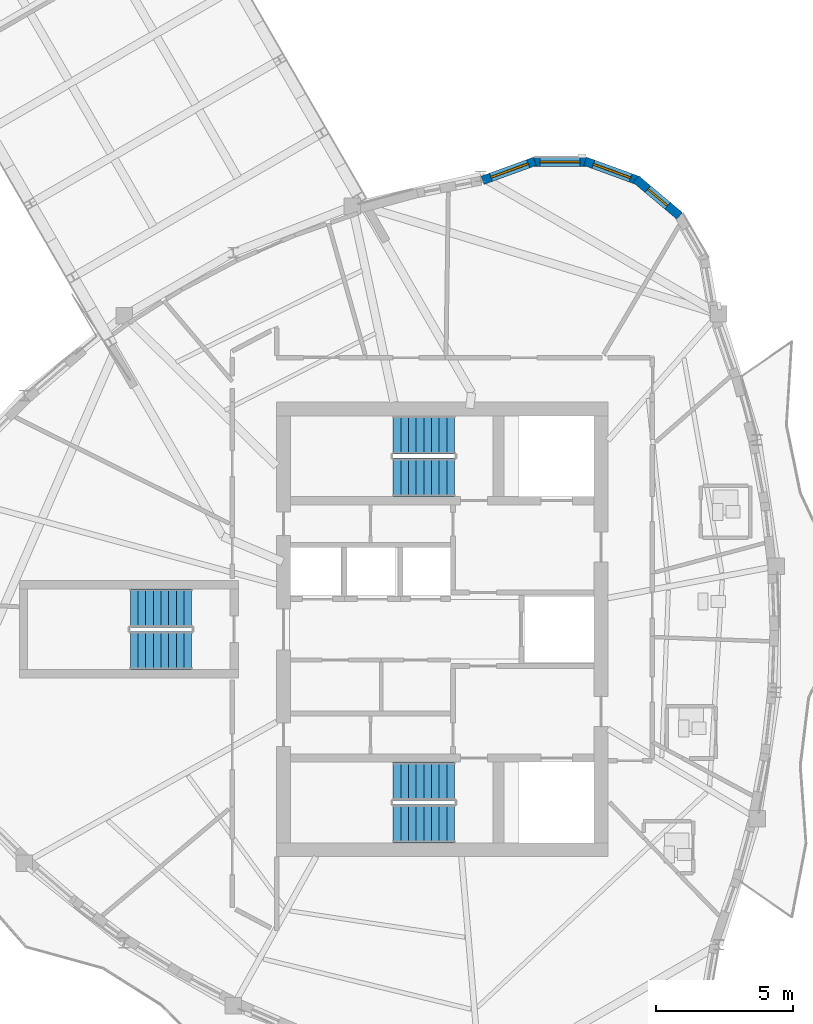
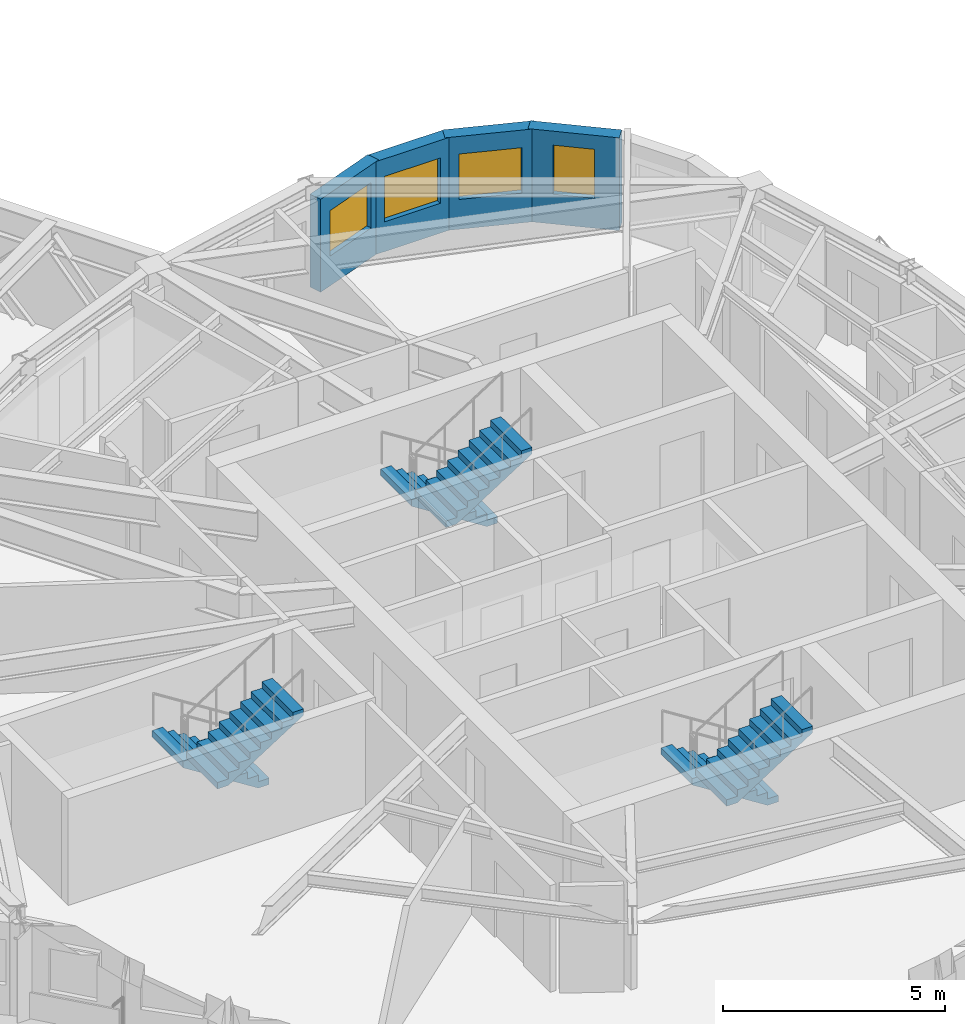
# One storey, part 10 of 14: 6 stair flights, 4 walls, 4 windows, 4 openings, 3 elements without a shape of their own.
"""IFC4 building model written with IfcOpenShell, lengths in metres."""

import ifcopenshell
import ifcopenshell.guid

model = None  # the IFC model being written
_history = None  # IfcOwnerHistory: only IFC2X3 demands one
_inside = {}  # id of a spatial element -> (the spatial element, [elements in it])
_under = {}  # id of a project, library or spatial element -> (it, [spatial elements below it])
_declared = {}  # id of a project -> (the project, [libraries it declares])
_typed = {}  # id of a type object -> (the type object, [elements of that type])
_made_of = {}  # id of a material, layer set ... -> (it, [elements and type objects made of it])


def new_model(schema):
    """Start an empty IFC model of exactly this schema.

    Asked for "IFC4X3", IfcOpenShell would pick the latest addendum, in which some entities
    have other attributes; the version numbers below select the first issue.
    IFC2X3 requires an IfcOwnerHistory on every rooted entity: one is made here for all.
    """
    global model, _history
    if schema == "IFC4X3":
        model = ifcopenshell.file(schema_version=(4, 3, 0, 0))
    else:
        model = ifcopenshell.file(schema=schema)
    _inside.clear()
    _under.clear()
    _declared.clear()
    _typed.clear()
    _made_of.clear()
    _history = None
    if model.schema == "IFC2X3":
        org = make("IfcOrganization", Name="unknown")
        user = make(
            "IfcPersonAndOrganization",
            ThePerson=make("IfcPerson", FamilyName="unknown"),
            TheOrganization=org,
        )
        app = make(
            "IfcApplication",
            ApplicationDeveloper=org,
            Version="unknown",
            ApplicationFullName="unknown",
            ApplicationIdentifier="unknown",
        )
        _history = make(
            "IfcOwnerHistory",
            OwningUser=user,
            OwningApplication=app,
            ChangeAction="ADDED",
            CreationDate=0,
        )
    return model


def make(cls, **values):
    """One entity of the class cls with the attributes given. An attribute that is None is left unset."""
    return model.create_entity(
        cls, **{name: value for name, value in values.items() if value is not None}
    )


def rooted(cls, **values):
    """An entity with a GlobalId (a new one), such as an element, a storey or a relation."""
    return make(cls, GlobalId=ifcopenshell.guid.new(), OwnerHistory=_history, **values)


def si_unit(unit_type, name, prefix=None):
    """IfcSIUnit, for example si_unit("LENGTHUNIT", "METRE", prefix="MILLI")."""
    return make("IfcSIUnit", UnitType=unit_type, Prefix=prefix, Name=name)


def assignment(units):
    """IfcUnitAssignment: the units of a project."""
    return None if units is None else make("IfcUnitAssignment", Units=units)


def point(xyz):
    """IfcCartesianPoint."""
    return None if xyz is None else make("IfcCartesianPoint", Coordinates=xyz)


def direction(xyz):
    """IfcDirection."""
    return None if xyz is None else make("IfcDirection", DirectionRatios=xyz)


def frame(location, z_axis=None, x_axis=None):
    """IfcAxis2Placement3D, a coordinate frame: its origin and axes. An axis left out is left unset."""
    return make(
        "IfcAxis2Placement3D",
        Location=point(location),
        Axis=direction(z_axis),
        RefDirection=direction(x_axis),
    )


def frame_2d(location, x_axis=None):
    """IfcAxis2Placement2D, a coordinate frame in the plane: its origin and x axis."""
    return make(
        "IfcAxis2Placement2D", Location=point(location), RefDirection=direction(x_axis)
    )


def origin():
    """The frame at (0, 0, 0) with its axes left unset."""
    return frame((0.0, 0.0, 0.0))


def place(relative_to, where):
    """IfcLocalPlacement: puts the frame where relative to a parent placement (None: the world)."""
    return make(
        "IfcLocalPlacement", PlacementRelTo=relative_to, RelativePlacement=where
    )


def context(
    kind, dimensions, precision=None, world=None, true_north=None, identifier=None
):
    """IfcGeometricRepresentationContext, for example the 3D "Model" context."""
    return make(
        "IfcGeometricRepresentationContext",
        ContextIdentifier=identifier,
        ContextType=kind,
        CoordinateSpaceDimension=dimensions,
        Precision=precision,
        WorldCoordinateSystem=world,
        TrueNorth=true_north,
    )


def subcontext(parent, identifier, kind, view, scale=None):
    """IfcGeometricRepresentationSubContext, for example "Body" below "Model"."""
    return make(
        "IfcGeometricRepresentationSubContext",
        ContextIdentifier=identifier,
        ContextType=kind,
        ParentContext=parent,
        TargetScale=scale,
        TargetView=view,
    )


def project(units=None, contexts=None):
    """IfcProject with its units and contexts."""
    return rooted(
        "IfcProject",
        Name="project",
        RepresentationContexts=contexts,
        UnitsInContext=assignment(units),
    )


def spatial(cls, under=None, at=None, **own):
    """A site, building, storey or space (cls), placed at a placement, below another one or the project."""
    s = rooted(cls, ObjectPlacement=at, **own)
    if under is not None:
        _under.setdefault(under.id(), (under, []))[1].append(s)
    return s


def polyline(points):
    """IfcPolyline through the points."""
    return make("IfcPolyline", Points=[point(p) for p in points])


def profile(cls, at=None, kind="AREA", **sizes):
    """A parametric profile (cls). Its sizes go by their IFC names, for example OverallWidth=200.0."""
    return make(cls, ProfileType=kind, Position=at, **sizes)


def rectangle(**sizes):
    """IfcRectangleProfileDef."""
    return profile("IfcRectangleProfileDef", **sizes)


def outline(outer, holes=None, kind="AREA"):
    """IfcArbitraryClosedProfileDef: a profile drawn as a closed curve; with holes, ...WithVoids."""
    if holes is None:
        return make("IfcArbitraryClosedProfileDef", ProfileType=kind, OuterCurve=outer)
    return make(
        "IfcArbitraryProfileDefWithVoids",
        ProfileType=kind,
        OuterCurve=outer,
        InnerCurves=holes,
    )


def extrude(swept, where, along, depth):
    """IfcExtrudedAreaSolid: the profile swept, set in the frame where, extruded along a direction by depth."""
    return make(
        "IfcExtrudedAreaSolid",
        SweptArea=swept,
        Position=where,
        ExtrudedDirection=direction(along),
        Depth=depth,
    )


def shape(context_of_items, identifier, shape_type, items):
    """IfcShapeRepresentation: the items that make up one representation, for example the "Body"."""
    return make(
        "IfcShapeRepresentation",
        ContextOfItems=context_of_items,
        RepresentationIdentifier=identifier,
        RepresentationType=shape_type,
        Items=items,
    )


def source(mapping_origin, context_of_items, identifier, shape_type, items):
    """IfcRepresentationMap: a shape defined once, which mapped items show again and again."""
    return make(
        "IfcRepresentationMap",
        MappingOrigin=mapping_origin,
        MappedRepresentation=shape(context_of_items, identifier, shape_type, items),
    )


def transform(
    local_origin,
    x_axis=None,
    y_axis=None,
    z_axis=None,
    scale=None,
    scale2=None,
    scale3=None,
    uniform=True,
):
    """IfcCartesianTransformationOperator3D, or its non-uniform kind. x_axis, y_axis, z_axis: its Axis1, 2, 3."""
    if uniform:
        return make(
            "IfcCartesianTransformationOperator3D",
            Axis1=direction(x_axis),
            Axis2=direction(y_axis),
            LocalOrigin=point(local_origin),
            Scale=scale,
            Axis3=direction(z_axis),
        )
    return make(
        "IfcCartesianTransformationOperator3DnonUniform",
        Axis1=direction(x_axis),
        Axis2=direction(y_axis),
        LocalOrigin=point(local_origin),
        Scale=scale,
        Axis3=direction(z_axis),
        Scale2=scale2,
        Scale3=scale3,
    )


def mapped(mapping_source, mapping_target):
    """IfcMappedItem: shows the shape of a source again, moved by a transform."""
    return make(
        "IfcMappedItem", MappingSource=mapping_source, MappingTarget=mapping_target
    )


def material(Name=None, Category=None):
    """IfcMaterial."""
    return make("IfcMaterial", Name=Name, Category=Category)


def layer(
    of_material, thickness, ventilated=None, Name=None, Category=None, Priority=None
):
    """IfcMaterialLayer: one layer of a wall or slab, of a material (None: an air gap)."""
    return make(
        "IfcMaterialLayer",
        Material=of_material,
        LayerThickness=thickness,
        IsVentilated=ventilated,
        Name=Name,
        Category=Category,
        Priority=Priority,
    )


def layer_set(layers, Name=None):
    """IfcMaterialLayerSet."""
    return make("IfcMaterialLayerSet", MaterialLayers=layers, LayerSetName=Name)


def made_of(thing, what):
    """Note that an element or type object is made of a material, layer set ...; save() writes the relation."""
    if what is not None:
        _made_of.setdefault(what.id(), (what, []))[1].append(thing)
    return thing


def type_object(cls, material=None, **own):
    """A type object (cls), such as IfcWallType, which elements share."""
    return made_of(rooted(cls, **own), material)


def element(
    cls,
    number,
    at=None,
    inside=None,
    cuts=None,
    type_object=None,
    material=None,
    context=None,
    identifier="Body",
    shape_type=None,
    held_by="IfcProductDefinitionShape",
    body=None,
    shapes=None,
    **own,
):
    """One element of the class cls, such as IfcWall. Its Tag is "e" and its number.

    at: its placement. inside: the storey or other place that contains it. cuts: it is an
    opening in that element (IfcRelVoidsElement). A single representation is given by context,
    identifier, shape_type and body (its items); several are given by shapes. held_by: the class
    of the entity that holds the representations. save() writes the other relations.
    """
    e = rooted(cls, Tag="e%d" % number, ObjectPlacement=at, **own)
    if body is not None:
        shapes = [shape(context, identifier, shape_type, body)]
    if shapes is not None:
        e.Representation = make(held_by, Representations=shapes)
    if inside is not None:
        _inside.setdefault(inside.id(), (inside, []))[1].append(e)
    if cuts is not None:
        rooted(
            "IfcRelVoidsElement", RelatingBuildingElement=cuts, RelatedOpeningElement=e
        )
    if type_object is not None:
        _typed.setdefault(type_object.id(), (type_object, []))[1].append(e)
    return made_of(e, material)


def fill(opening, filler):
    """IfcRelFillsElement: the door or window that sits in an opening."""
    return rooted(
        "IfcRelFillsElement",
        RelatingOpeningElement=opening,
        RelatedBuildingElement=filler,
    )


def aggregate(whole, parts):
    """IfcRelAggregates: a whole, such as a stair, and the parts it consists of."""
    return rooted("IfcRelAggregates", RelatingObject=whole, RelatedObjects=parts)


def save(model, path):
    """Write the relations noted so far, then the file.

    IfcRelAggregates (storeys below a building ...), IfcRelContainedInSpatialStructure (elements
    in a storey), IfcRelDefinesByType, IfcRelAssociatesMaterial and IfcRelDeclares: one each for
    every whole, place, type object, material and project.
    """
    for whole, parts in _under.values():
        aggregate(whole, parts)
    for where, things in _inside.values():
        rooted(
            "IfcRelContainedInSpatialStructure",
            RelatedElements=things,
            RelatingStructure=where,
        )
    for kind, things in _typed.values():
        rooted("IfcRelDefinesByType", RelatedObjects=things, RelatingType=kind)
    for what, things in _made_of.values():
        rooted("IfcRelAssociatesMaterial", RelatedObjects=things, RelatingMaterial=what)
    for by, libraries in _declared.values():
        rooted("IfcRelDeclares", RelatingContext=by, RelatedDefinitions=libraries)
    model.write(path)


model = new_model("IFC4")

# Units and contexts
model_context = context("Model", 3, precision=1e-05, world=origin(), true_north=direction((0.0, 1.0)))
body_context = subcontext(model_context, "Body", "Model", "MODEL_VIEW")
ifc_project = project(units=[si_unit("LENGTHUNIT", "METRE"), si_unit("AREAUNIT", "SQUARE_METRE"), si_unit("VOLUMEUNIT", "CUBIC_METRE"), si_unit("PLANEANGLEUNIT", "RADIAN"), si_unit("MASSUNIT", "GRAM", prefix="KILO")], contexts=[model_context])

# Site, building, storey
site_placement = place(None, origin())
site = spatial("IfcSite", under=ifc_project, at=site_placement, CompositionType="ELEMENT")
building_placement = place(site_placement, origin())
building = spatial("IfcBuilding", under=site, at=building_placement, Name="Qafzar Sky-Pleat Residences", CompositionType="ELEMENT")
storey_placement = place(building_placement, frame((0.0, 0.0, 208.39990234375)))
storey = spatial("IfcBuildingStorey", under=building, at=storey_placement, Name="L62", CompositionType="ELEMENT", Elevation=208.39990234375)

# Wall, opening, window
ifc_material_1 = material(Name="Precast concrete C40/50 with honed Riyadh limestone", Category="concrete")
ifc_layer = layer(ifc_material_1, 0.320068359375)
ifc_layer_set = layer_set([ifc_layer], Name="Precast concrete C40/50 with honed Riyadh limestone")
wall_type = type_object("IfcWallType", Name="WALL-EXT-320", PredefinedType="SOLIDWALL", material=ifc_layer_set)
wall_1_placement = place(storey_placement, frame((39.02197265625, 41.103515625, 0.0), z_axis=(0.0, 0.0, 1.0), x_axis=(-0.766072824549, 0.642753784499, 0.0)))
wall_1 = element("IfcWall", 1, at=wall_1_placement, inside=storey, type_object=wall_type, Name="L62 Limestone Facade Wall 35", PredefinedType="SOLIDWALL", context=body_context, shape_type="SweptSolid", body=[
    extrude(rectangle(XDim=2.090576171875, YDim=0.320068359375, at=frame_2d((1.04541015625, 0.0))), origin(), (0.0, 0.0, 1.0), 2.55517578125),
])
opening_1_placement = place(wall_1_placement, frame((0.5703125, 0.0, 0.820068359375)))
opening_1 = element("IfcOpeningElement", 2, at=opening_1_placement, cuts=wall_1, Name="Opening WN-12", PredefinedType="OPENING", context=body_context, shape_type="SweptSolid", body=[
    extrude(rectangle(XDim=0.949951171875, YDim=1.35009765625, at=frame_2d((0.47509765625, 0.675048828125))), frame((0.0, 0.169921875, 0.0), z_axis=(0.0, -1.0, 0.0), x_axis=(1.0, 0.0, 0.0)), (0.0, 0.0, 1.0), 0.340087890625),
])
ifc_material_2 = material(Name="Solar-control low-E glass in bronze aluminium frame", Category="glass")
window_type_1 = type_object("IfcWindowType", Name="WIN-12", PartitioningType="SINGLE_PANEL", PredefinedType="WINDOW", material=ifc_material_2)
shared_shape_1 = source(origin(), body_context, "Body", "SweptSolid", [
    extrude(rectangle(XDim=0.949951171875, YDim=1.35009765625, at=frame_2d((0.47509765625, 0.675048828125))), frame((0.0, 0.030029296875, 0.0), z_axis=(0.0, -1.0, 0.0), x_axis=(1.0, 0.0, 0.0)), (0.0, 0.0, 1.0), 0.06005859375),
])
window_1_placement = place(opening_1_placement, origin())
window_1 = element("IfcWindow", 3, at=window_1_placement, inside=storey, type_object=window_type_1, Name="L62 Punched Facade Window 35", OverallHeight=1.35009765625, OverallWidth=0.949951171875, PartitioningType="SINGLE_PANEL", PredefinedType="WINDOW", context=body_context, shape_type="MappedRepresentation", body=[
    mapped(shared_shape_1, transform((0.0, 0.0, 0.0), x_axis=(1.0, 0.0, 0.0), y_axis=(0.0, 1.0, 0.0), z_axis=(0.0, 0.0, 1.0), scale=1.0)),
])
fill(opening_1, window_1)

wall_2_placement = place(storey_placement, frame((37.533447265625, 42.382080078125, 0.0), z_axis=(0.0, 0.0, 1.0), x_axis=(-0.939697896412, 0.342005648315, 0.0)))
wall_2 = element("IfcWall", 4, at=wall_2_placement, inside=storey, type_object=wall_type, Name="L62 Limestone Facade Wall 36", PredefinedType="SOLIDWALL", context=body_context, shape_type="SweptSolid", body=[
    extrude(rectangle(XDim=2.090087890625, YDim=0.320068359375, at=frame_2d((1.044921875, 0.0))), origin(), (0.0, 0.0, 1.0), 2.55517578125),
])
opening_2_placement = place(wall_2_placement, frame((0.3203125, 0.0, 0.820068359375)))
opening_2 = element("IfcOpeningElement", 5, at=opening_2_placement, cuts=wall_2, Name="Opening WN-15", PredefinedType="OPENING", context=body_context, shape_type="SweptSolid", body=[
    extrude(rectangle(XDim=1.449951171875, YDim=1.25, at=frame_2d((0.72509765625, 0.625))), frame((0.0, 0.169921875, 0.0), z_axis=(0.0, -1.0, 0.0), x_axis=(1.0, 0.0, 0.0)), (0.0, 0.0, 1.0), 0.340087890625),
])
window_type_2 = type_object("IfcWindowType", Name="WIN-15", PartitioningType="SINGLE_PANEL", PredefinedType="WINDOW", material=ifc_material_2)
shared_shape_2 = source(origin(), body_context, "Body", "SweptSolid", [
    extrude(rectangle(XDim=1.449951171875, YDim=1.25, at=frame_2d((0.72509765625, 0.625))), frame((0.0, 0.030029296875, 0.0), z_axis=(0.0, -1.0, 0.0), x_axis=(1.0, 0.0, 0.0)), (0.0, 0.0, 1.0), 0.06005859375),
])
window_2_placement = place(opening_2_placement, origin())
window_2 = element("IfcWindow", 6, at=window_2_placement, inside=storey, type_object=window_type_2, Name="L62 Punched Facade Window 36", OverallHeight=1.25, OverallWidth=1.449951171875, PartitioningType="SINGLE_PANEL", PredefinedType="WINDOW", context=body_context, shape_type="MappedRepresentation", body=[
    mapped(shared_shape_2, transform((0.0, 0.0, 0.0), x_axis=(1.0, 0.0, 0.0), y_axis=(0.0, 1.0, 0.0), z_axis=(0.0, 0.0, 1.0), scale=1.0)),
])
fill(opening_2, window_2)

wall_3_placement = place(storey_placement, frame((35.69775390625, 43.074462890625, 0.0), z_axis=(0.0, 0.0, 1.0), x_axis=(-1.0, 0.0, 0.0)))
wall_3 = element("IfcWall", 7, at=wall_3_placement, inside=storey, type_object=wall_type, Name="L62 Limestone Facade Wall 37", PredefinedType="SOLIDWALL", context=body_context, shape_type="SweptSolid", body=[
    extrude(rectangle(XDim=2.09033203125, YDim=0.320068359375, at=frame_2d((1.045166015625, 0.0))), origin(), (0.0, 0.0, 1.0), 2.55517578125),
])
opening_3_placement = place(wall_3_placement, frame((0.3203125, 0.0, 0.820068359375)))
opening_3 = element("IfcOpeningElement", 8, at=opening_3_placement, cuts=wall_3, Name="Opening WN-15", PredefinedType="OPENING", context=body_context, shape_type="SweptSolid", body=[
    extrude(rectangle(XDim=1.449951171875, YDim=1.25, at=frame_2d((0.72509765625, 0.625))), frame((0.0, 0.169921875, 0.0), z_axis=(0.0, -1.0, 0.0), x_axis=(1.0, 0.0, 0.0)), (0.0, 0.0, 1.0), 0.340087890625),
])
window_3_placement = place(opening_3_placement, origin())
window_3 = element("IfcWindow", 9, at=window_3_placement, inside=storey, type_object=window_type_2, Name="L62 Punched Facade Window 37", OverallHeight=1.25, OverallWidth=1.449951171875, PartitioningType="SINGLE_PANEL", PredefinedType="WINDOW", context=body_context, shape_type="MappedRepresentation", body=[
    mapped(shared_shape_2, transform((0.0, 0.0, 0.0), x_axis=(1.0, 0.0, 0.0), y_axis=(0.0, 1.0, 0.0), z_axis=(0.0, 0.0, 1.0), scale=1.0)),
])
fill(opening_3, window_3)

wall_4_placement = place(storey_placement, frame((33.735595703125, 43.096923828125, 0.0), z_axis=(0.0, 0.0, 1.0), x_axis=(-0.939691662178, -0.342022777067, 0.0)))
wall_4 = element("IfcWall", 10, at=wall_4_placement, inside=storey, type_object=wall_type, Name="L62 Limestone Facade Wall 38", PredefinedType="SOLIDWALL", context=body_context, shape_type="SweptSolid", body=[
    extrude(rectangle(XDim=2.0322265625, YDim=0.320068359375, at=frame_2d((1.01611328125, 0.0))), origin(), (0.0, 0.0, 1.0), 2.55517578125),
])
opening_4_placement = place(wall_4_placement, frame((0.26123046875, 0.0, 0.820068359375)))
opening_4 = element("IfcOpeningElement", 11, at=opening_4_placement, cuts=wall_4, Name="Opening WN-15", PredefinedType="OPENING", context=body_context, shape_type="SweptSolid", body=[
    extrude(rectangle(XDim=1.449951171875, YDim=1.25, at=frame_2d((0.72509765625, 0.625))), frame((0.0, 0.169921875, 0.0), z_axis=(0.0, -1.0, 0.0), x_axis=(1.0, 0.0, 0.0)), (0.0, 0.0, 1.0), 0.340087890625),
])
window_4_placement = place(opening_4_placement, origin())
window_4 = element("IfcWindow", 12, at=window_4_placement, inside=storey, type_object=window_type_2, Name="L62 Punched Facade Window 38", OverallHeight=1.25, OverallWidth=1.449951171875, PartitioningType="SINGLE_PANEL", PredefinedType="WINDOW", context=body_context, shape_type="MappedRepresentation", body=[
    mapped(shared_shape_2, transform((0.0, 0.0, 0.0), x_axis=(1.0, 0.0, 0.0), y_axis=(0.0, 1.0, 0.0), z_axis=(0.0, 0.0, 1.0), scale=1.0)),
])
fill(opening_4, window_4)

# Stair, stair flights
ifc_material_3 = material(Name="Concrete C40/50", Category="concrete")
stair_type = type_object("IfcStairType", Name="STAIR-H320", PredefinedType="HALF_TURN_STAIR", material=ifc_material_3)
stair_1_placement = place(storey_placement, origin())
stair_1 = element("IfcStair", 13, at=stair_1_placement, inside=storey, type_object=stair_type, Name="L62 Protected Exit Stair ST1", PredefinedType="HALF_TURN_STAIR")
stair_flight_type = type_object("IfcStairFlightType", Name="FLIGHT-H320", PredefinedType="STRAIGHT", material=ifc_material_3)
shared_shape_3 = source(origin(), body_context, "Body", "SweptSolid", [
    extrude(outline(polyline([(0.0, 0.0), (0.0, 0.177734375), (0.280029296875, 0.177734375), (0.280029296875, 0.35546875), (0.56005859375, 0.35546875), (0.56005859375, 0.533447265625), (0.840087890625, 0.533447265625), (0.840087890625, 0.711181640625), (1.1201171875, 0.711181640625), (1.1201171875, 0.888916015625), (1.39990234375, 0.888916015625), (1.39990234375, 1.066650390625), (1.679931640625, 1.066650390625), (1.679931640625, 1.244384765625), (1.9599609375, 1.244384765625), (1.9599609375, 1.422119140625), (2.239990234375, 1.422119140625), (2.239990234375, 1.60009765625), (2.239990234375, 1.24462890625), (0.27978515625, 0.0), (0.0, 0.0)])), frame((0.0, 0.699951171875, 0.0), z_axis=(0.0, -1.0, 0.0), x_axis=(1.0, 0.0, 0.0)), (0.0, 0.0, 1.0), 1.39990234375),
])
stair_flight_1_placement = place(storey_placement, frame((30.800048828125, 20.449951171875, 0.0), z_axis=(0.0, 0.0, 1.0), x_axis=(-1.0, 0.0, 0.0)))
stair_flight_1 = element("IfcStairFlight", 14, at=stair_flight_1_placement, type_object=stair_flight_type, Name="ST1 flight 1", NumberOfRisers=9, NumberOfTreads=8, PredefinedType="STRAIGHT", RiserHeight=0.177777778, TreadLength=0.28, context=body_context, shape_type="MappedRepresentation", body=[
    mapped(shared_shape_3, transform((0.0, 0.0, 0.0), x_axis=(1.0, 0.0, 0.0), y_axis=(0.0, 1.0, 0.0), z_axis=(0.0, 0.0, 1.0), scale=1.0)),
])
stair_flight_2_placement = place(storey_placement, frame((28.56005859375, 18.89990234375, 1.60009765625), z_axis=(0.0, 0.0, 1.0), x_axis=(1.0, 0.0, 0.0)))
stair_flight_2 = element("IfcStairFlight", 15, at=stair_flight_2_placement, type_object=stair_flight_type, Name="ST1 flight 2", NumberOfRisers=9, NumberOfTreads=8, PredefinedType="STRAIGHT", RiserHeight=0.177777778, TreadLength=0.28, context=body_context, shape_type="MappedRepresentation", body=[
    mapped(shared_shape_3, transform((0.0, 0.0, 0.0), x_axis=(1.0, 0.0, 0.0), y_axis=(0.0, 1.0, 0.0), z_axis=(0.0, 0.0, 1.0), scale=1.0)),
])
aggregate(stair_1, [stair_flight_1, stair_flight_2])

stair_2_placement = place(storey_placement, origin())
stair_2 = element("IfcStair", 16, at=stair_2_placement, inside=storey, type_object=stair_type, Name="L62 Protected Exit Stair ST2", PredefinedType="HALF_TURN_STAIR")
stair_flight_3_placement = place(storey_placement, frame((30.800048828125, 33.10009765625, 0.0), z_axis=(0.0, 0.0, 1.0), x_axis=(-1.0, 0.0, 0.0)))
stair_flight_3 = element("IfcStairFlight", 17, at=stair_flight_3_placement, type_object=stair_flight_type, Name="ST2 flight 1", NumberOfRisers=9, NumberOfTreads=8, PredefinedType="STRAIGHT", RiserHeight=0.177777778, TreadLength=0.28, context=body_context, shape_type="MappedRepresentation", body=[
    mapped(shared_shape_3, transform((0.0, 0.0, 0.0), x_axis=(1.0, 0.0, 0.0), y_axis=(0.0, 1.0, 0.0), z_axis=(0.0, 0.0, 1.0), scale=1.0)),
])
stair_flight_4_placement = place(storey_placement, frame((28.56005859375, 31.550048828125, 1.60009765625), z_axis=(0.0, 0.0, 1.0), x_axis=(1.0, 0.0, 0.0)))
stair_flight_4 = element("IfcStairFlight", 18, at=stair_flight_4_placement, type_object=stair_flight_type, Name="ST2 flight 2", NumberOfRisers=9, NumberOfTreads=8, PredefinedType="STRAIGHT", RiserHeight=0.177777778, TreadLength=0.28, context=body_context, shape_type="MappedRepresentation", body=[
    mapped(shared_shape_3, transform((0.0, 0.0, 0.0), x_axis=(1.0, 0.0, 0.0), y_axis=(0.0, 1.0, 0.0), z_axis=(0.0, 0.0, 1.0), scale=1.0)),
])
aggregate(stair_2, [stair_flight_3, stair_flight_4])

stair_3_placement = place(storey_placement, origin())
stair_3 = element("IfcStair", 19, at=stair_3_placement, inside=storey, type_object=stair_type, Name="L62 Protected Exit Stair ST3", PredefinedType="HALF_TURN_STAIR")
stair_flight_5_placement = place(storey_placement, frame((21.199951171875, 26.77490234375, 0.0), z_axis=(0.0, 0.0, 1.0), x_axis=(-1.0, 0.0, 0.0)))
stair_flight_5 = element("IfcStairFlight", 20, at=stair_flight_5_placement, type_object=stair_flight_type, Name="ST3 flight 1", NumberOfRisers=9, NumberOfTreads=8, PredefinedType="STRAIGHT", RiserHeight=0.177777778, TreadLength=0.28, context=body_context, shape_type="MappedRepresentation", body=[
    mapped(shared_shape_3, transform((0.0, 0.0, 0.0), x_axis=(1.0, 0.0, 0.0), y_axis=(0.0, 1.0, 0.0), z_axis=(0.0, 0.0, 1.0), scale=1.0)),
])
stair_flight_6_placement = place(storey_placement, frame((18.9599609375, 25.22509765625, 1.60009765625), z_axis=(0.0, 0.0, 1.0), x_axis=(1.0, 0.0, 0.0)))
stair_flight_6 = element("IfcStairFlight", 21, at=stair_flight_6_placement, type_object=stair_flight_type, Name="ST3 flight 2", NumberOfRisers=9, NumberOfTreads=8, PredefinedType="STRAIGHT", RiserHeight=0.177777778, TreadLength=0.28, context=body_context, shape_type="MappedRepresentation", body=[
    mapped(shared_shape_3, transform((0.0, 0.0, 0.0), x_axis=(1.0, 0.0, 0.0), y_axis=(0.0, 1.0, 0.0), z_axis=(0.0, 0.0, 1.0), scale=1.0)),
])
aggregate(stair_3, [stair_flight_5, stair_flight_6])

save(model, "model.ifc")
